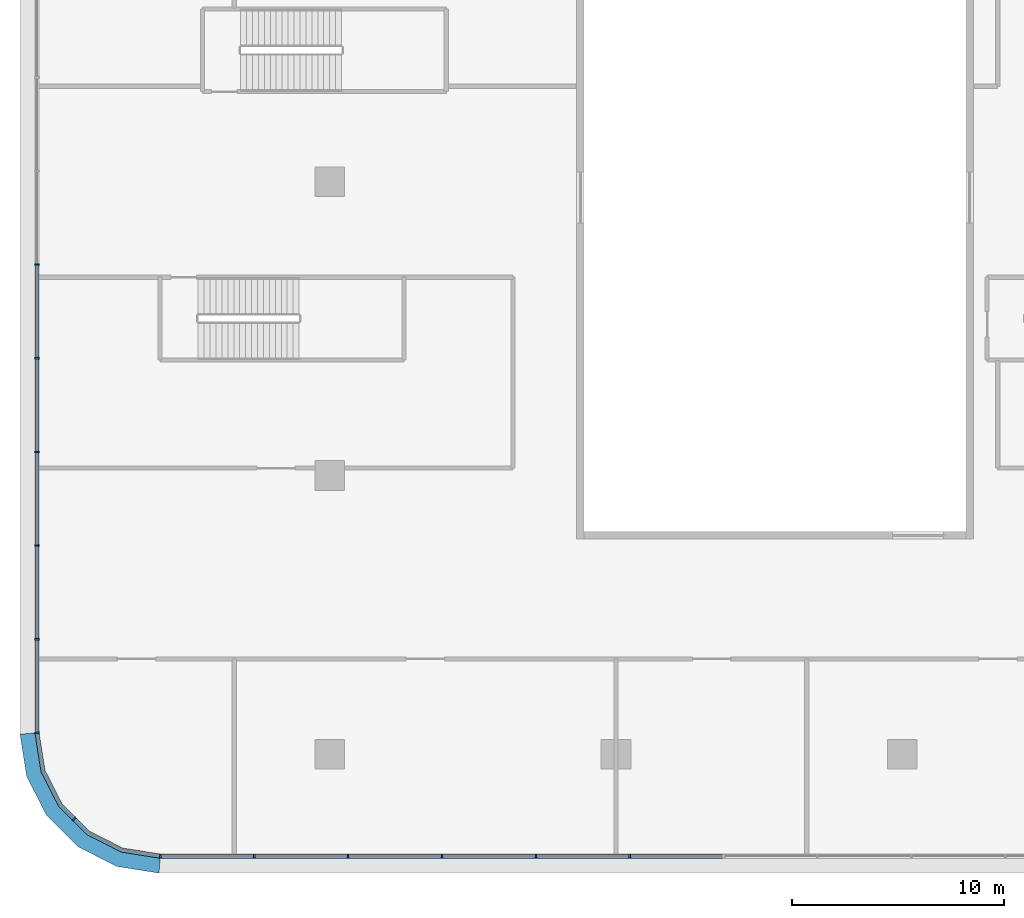
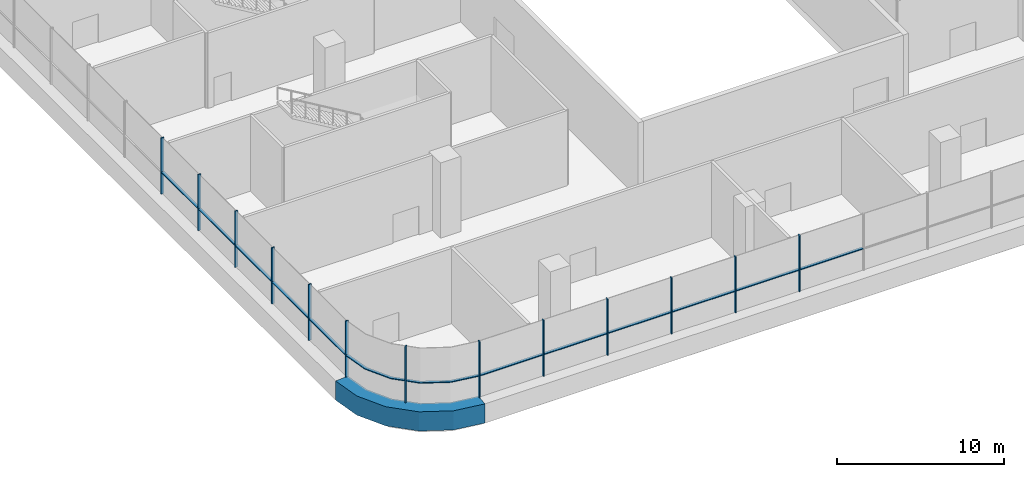
# One storey, part 2 of 52: 27 members, 3 elements without a shape of their own.
"""IFC4 building model written with IfcOpenShell, lengths in metres."""

from ifc_helpers import new_model, si_unit, direction, frame, origin, origin_2d, place, context, subcontext, project, spatial, polyline, rectangle, outline, extrude, material, layer, layer_set, material_profile, profile_set, type_object, element, aggregate, save


model = new_model("IFC4")

# Units and contexts
model_context = context("Model", 3, precision=1e-05, world=origin(), true_north=direction((0.0, 1.0)))
body_context = subcontext(model_context, "Body", "Model", "MODEL_VIEW")
ifc_project = project(units=[si_unit("LENGTHUNIT", "METRE"), si_unit("AREAUNIT", "SQUARE_METRE"), si_unit("VOLUMEUNIT", "CUBIC_METRE"), si_unit("PLANEANGLEUNIT", "RADIAN"), si_unit("MASSUNIT", "GRAM", prefix="KILO")], contexts=[model_context])

# Site, building, storey
site_placement = place(None, origin())
site = spatial("IfcSite", under=ifc_project, at=site_placement, CompositionType="ELEMENT")
building_placement = place(site_placement, origin())
building = spatial("IfcBuilding", under=site, at=building_placement, Name="Tamarind Cross Interchange Tower", CompositionType="ELEMENT")
storey_placement = place(building_placement, frame((0.0, 0.0, 9.0)))
storey = spatial("IfcBuildingStorey", under=building, at=storey_placement, Name="L01", CompositionType="ELEMENT", Elevation=9.0)

# Curtain wall, member
ifc_material_1 = material(Name="Aluminium 6063-T6", Category="aluminium")
ifc_layer = layer(ifc_material_1, 0.199951171875)
ifc_layer_set = layer_set([ifc_layer], Name="Aluminium 6063-T6")
curtain_wall_type = type_object("IfcCurtainWallType", Name="Podium shopfront and station curtain wall", PredefinedType="NOTDEFINED", material=ifc_layer_set)
curtain_wall_1_placement = place(storey_placement, origin())
curtain_wall_1 = element("IfcCurtainWall", 1, at=curtain_wall_1_placement, inside=storey, type_object=curtain_wall_type, Name="CWS-L01-05", PredefinedType="NOTDEFINED")
ifc_material_2 = material(Name="Aluminium and insulated spandrel panel", Category="aluminium")
member_type_1 = type_object("IfcMemberType", Name="Floor-edge blade transom", PredefinedType="USERDEFINED", material=ifc_material_2)
member_1_placement = place(storey_placement, origin())
member_1 = element("IfcMember", 2, at=member_1_placement, type_object=member_type_1, Name="CWT-L01-05", ObjectType="TRANSOM", PredefinedType="USERDEFINED", context=body_context, shape_type="SweptSolid", body=[
    extrude(outline(polyline([(-67.699951171875, -52.976318359375), (-67.41748046875, -54.76025390625), (-66.6083984375, -56.34814453125), (-65.34814453125, -57.6083984375), (-63.76025390625, -58.41748046875), (-61.976318359375, -58.699951171875), (-62.047119140625, -59.60009765625), (-64.041748046875, -59.2841796875), (-65.8837890625, -58.345458984375), (-67.345458984375, -56.8837890625), (-68.2841796875, -55.041748046875), (-68.60009765625, -53.047119140625), (-67.699951171875, -52.976318359375)])), origin(), (0.0, 0.0, 1.0), 1.39990234375),
])

# Curtain wall, members
curtain_wall_2_placement = place(storey_placement, origin())
curtain_wall_2 = element("IfcCurtainWall", 3, at=curtain_wall_2_placement, inside=storey, type_object=curtain_wall_type, Name="CWS-L01-04", PredefinedType="NOTDEFINED")
ifc_material_profile = material_profile(ifc_material_1, rectangle(XDim=0.080078125, YDim=0.199951171875, at=origin_2d()), Name="Mullion CW3")
ifc_profile_set = profile_set([ifc_material_profile], Name="Aluminium 6063-T6")
member_type_2 = type_object("IfcMemberType", Name="Mullion CW3", PredefinedType="MULLION", material=ifc_profile_set)
member_2_placement = place(storey_placement, frame((-67.800048828125, -30.907470703125, 1.39990234375), z_axis=(0.0, 0.0, 1.0), x_axis=(0.0, -1.0, 0.0)))
member_2 = element("IfcMember", 4, at=member_2_placement, type_object=member_type_2, Name="CWM-L01-04-19", PredefinedType="MULLION", context=body_context, shape_type="SweptSolid", body=[
    extrude(rectangle(XDim=0.080078125, YDim=0.199951171875, at=origin_2d()), origin(), (0.0, 0.0, 1.0), 4.10009765625),
])
member_3_placement = place(storey_placement, frame((-67.800048828125, -35.32275390625, 1.39990234375), z_axis=(0.0, 0.0, 1.0), x_axis=(0.0, -1.0, 0.0)))
member_3 = element("IfcMember", 5, at=member_3_placement, type_object=member_type_2, Name="CWM-L01-04-20", PredefinedType="MULLION", context=body_context, shape_type="SweptSolid", body=[
    extrude(rectangle(XDim=0.080078125, YDim=0.199951171875, at=origin_2d()), origin(), (0.0, 0.0, 1.0), 4.10009765625),
])
member_4_placement = place(storey_placement, frame((-67.800048828125, -39.73828125, 1.39990234375), z_axis=(0.0, 0.0, 1.0), x_axis=(0.0, -1.0, 0.0)))
member_4 = element("IfcMember", 6, at=member_4_placement, type_object=member_type_2, Name="CWM-L01-04-21", PredefinedType="MULLION", context=body_context, shape_type="SweptSolid", body=[
    extrude(rectangle(XDim=0.080078125, YDim=0.199951171875, at=origin_2d()), origin(), (0.0, 0.0, 1.0), 4.10009765625),
])
member_5_placement = place(storey_placement, frame((-67.800048828125, -44.153564453125, 1.39990234375), z_axis=(0.0, 0.0, 1.0), x_axis=(0.0, -1.0, 0.0)))
member_5 = element("IfcMember", 7, at=member_5_placement, type_object=member_type_2, Name="CWM-L01-04-22", PredefinedType="MULLION", context=body_context, shape_type="SweptSolid", body=[
    extrude(rectangle(XDim=0.080078125, YDim=0.199951171875, at=origin_2d()), origin(), (0.0, 0.0, 1.0), 4.10009765625),
])
member_6_placement = place(storey_placement, frame((-67.800048828125, -48.56884765625, 1.39990234375), z_axis=(0.0, 0.0, 1.0), x_axis=(0.0, -1.0, 0.0)))
member_6 = element("IfcMember", 8, at=member_6_placement, type_object=member_type_2, Name="CWM-L01-04-23", PredefinedType="MULLION", context=body_context, shape_type="SweptSolid", body=[
    extrude(rectangle(XDim=0.080078125, YDim=0.199951171875, at=origin_2d()), origin(), (0.0, 0.0, 1.0), 4.10009765625),
])

# Member
member_7_placement = place(storey_placement, frame((-67.800048828125, -52.984375, 1.39990234375), z_axis=(0.0, 0.0, 1.0), x_axis=(0.078459095728, -0.996917333733, 0.0)))
member_7 = element("IfcMember", 9, at=member_7_placement, type_object=member_type_2, Name="CWM-L01-05-00", PredefinedType="MULLION", context=body_context, shape_type="SweptSolid", body=[
    extrude(rectangle(XDim=0.080078125, YDim=0.199951171875, at=origin_2d()), origin(), (0.0, 0.0, 1.0), 4.10009765625),
])

member_8_placement = place(storey_placement, frame((-66.049072265625, -57.049072265625, 1.39990234375), z_axis=(0.0, 0.0, 1.0), x_axis=(0.707106781187, -0.707106781187, 0.0)))
member_8 = element("IfcMember", 10, at=member_8_placement, type_object=member_type_2, Name="CWM-L01-05-01", PredefinedType="MULLION", context=body_context, shape_type="SweptSolid", body=[
    extrude(rectangle(XDim=0.080078125, YDim=0.199951171875, at=origin_2d()), origin(), (0.0, 0.0, 1.0), 4.10009765625),
])

# Curtain wall, members
curtain_wall_3_placement = place(storey_placement, origin())
curtain_wall_3 = element("IfcCurtainWall", 11, at=curtain_wall_3_placement, inside=storey, type_object=curtain_wall_type, Name="CWS-L01-06", PredefinedType="NOTDEFINED")
member_9_placement = place(storey_placement, frame((-61.984375, -58.800048828125, 1.39990234375), z_axis=(0.0, 0.0, 1.0), x_axis=(0.996917333733, -0.078459095728, 0.0)))
member_9 = element("IfcMember", 12, at=member_9_placement, type_object=member_type_2, Name="CWM-L01-06-00", PredefinedType="MULLION", context=body_context, shape_type="SweptSolid", body=[
    extrude(rectangle(XDim=0.080078125, YDim=0.199951171875, at=origin_2d()), origin(), (0.0, 0.0, 1.0), 4.10009765625),
])
member_10_placement = place(storey_placement, frame((-57.556884765625, -58.800048828125, 1.39990234375), z_axis=(0.0, 0.0, 1.0), x_axis=(1.0, 0.0, 0.0)))
member_10 = element("IfcMember", 13, at=member_10_placement, type_object=member_type_2, Name="CWM-L01-06-01", PredefinedType="MULLION", context=body_context, shape_type="SweptSolid", body=[
    extrude(rectangle(XDim=0.080078125, YDim=0.199951171875, at=origin_2d()), origin(), (0.0, 0.0, 1.0), 4.10009765625),
])
member_11_placement = place(storey_placement, frame((-53.12939453125, -58.800048828125, 1.39990234375), z_axis=(0.0, 0.0, 1.0), x_axis=(1.0, 0.0, 0.0)))
member_11 = element("IfcMember", 14, at=member_11_placement, type_object=member_type_2, Name="CWM-L01-06-02", PredefinedType="MULLION", context=body_context, shape_type="SweptSolid", body=[
    extrude(rectangle(XDim=0.080078125, YDim=0.199951171875, at=origin_2d()), origin(), (0.0, 0.0, 1.0), 4.10009765625),
])
member_12_placement = place(storey_placement, frame((-48.701904296875, -58.800048828125, 1.39990234375), z_axis=(0.0, 0.0, 1.0), x_axis=(1.0, 0.0, 0.0)))
member_12 = element("IfcMember", 15, at=member_12_placement, type_object=member_type_2, Name="CWM-L01-06-03", PredefinedType="MULLION", context=body_context, shape_type="SweptSolid", body=[
    extrude(rectangle(XDim=0.080078125, YDim=0.199951171875, at=origin_2d()), origin(), (0.0, 0.0, 1.0), 4.10009765625),
])
member_13_placement = place(storey_placement, frame((-44.2744140625, -58.800048828125, 1.39990234375), z_axis=(0.0, 0.0, 1.0), x_axis=(1.0, 0.0, 0.0)))
member_13 = element("IfcMember", 16, at=member_13_placement, type_object=member_type_2, Name="CWM-L01-06-04", PredefinedType="MULLION", context=body_context, shape_type="SweptSolid", body=[
    extrude(rectangle(XDim=0.080078125, YDim=0.199951171875, at=origin_2d()), origin(), (0.0, 0.0, 1.0), 4.10009765625),
])
member_14_placement = place(storey_placement, frame((-39.846923828125, -58.800048828125, 1.39990234375), z_axis=(0.0, 0.0, 1.0), x_axis=(1.0, 0.0, 0.0)))
member_14 = element("IfcMember", 17, at=member_14_placement, type_object=member_type_2, Name="CWM-L01-06-05", PredefinedType="MULLION", context=body_context, shape_type="SweptSolid", body=[
    extrude(rectangle(XDim=0.080078125, YDim=0.199951171875, at=origin_2d()), origin(), (0.0, 0.0, 1.0), 4.10009765625),
])

# Member
member_type_3 = type_object("IfcMemberType", Name="Podium intermediate transom", PredefinedType="USERDEFINED", material=ifc_material_1)
member_15_placement = place(storey_placement, frame((0.0, 0.0, 2.969970703125)))
member_15 = element("IfcMember", 18, at=member_15_placement, type_object=member_type_3, Name="CWT-L01-04-I0-19", ObjectType="TRANSOM", PredefinedType="USERDEFINED", context=body_context, shape_type="SweptSolid", body=[
    extrude(outline(polyline([(-67.699951171875, -30.947509765625), (-67.699951171875, -35.282958984375), (-67.89990234375, -35.282958984375), (-67.89990234375, -30.947509765625), (-67.699951171875, -30.947509765625)])), origin(), (0.0, 0.0, 1.0), 0.06005859375),
])

member_16_placement = place(storey_placement, frame((0.0, 0.0, 2.969970703125)))
member_16 = element("IfcMember", 19, at=member_16_placement, type_object=member_type_3, Name="CWT-L01-04-I0-20", ObjectType="TRANSOM", PredefinedType="USERDEFINED", context=body_context, shape_type="SweptSolid", body=[
    extrude(outline(polyline([(-67.699951171875, -35.36279296875), (-67.699951171875, -39.6982421875), (-67.89990234375, -39.6982421875), (-67.89990234375, -35.36279296875), (-67.699951171875, -35.36279296875)])), origin(), (0.0, 0.0, 1.0), 0.06005859375),
])

member_17_placement = place(storey_placement, frame((0.0, 0.0, 2.969970703125)))
member_17 = element("IfcMember", 20, at=member_17_placement, type_object=member_type_3, Name="CWT-L01-04-I0-21", ObjectType="TRANSOM", PredefinedType="USERDEFINED", context=body_context, shape_type="SweptSolid", body=[
    extrude(outline(polyline([(-67.699951171875, -39.778076171875), (-67.699951171875, -44.113525390625), (-67.89990234375, -44.113525390625), (-67.89990234375, -39.778076171875), (-67.699951171875, -39.778076171875)])), origin(), (0.0, 0.0, 1.0), 0.06005859375),
])

member_18_placement = place(storey_placement, frame((0.0, 0.0, 2.969970703125)))
member_18 = element("IfcMember", 21, at=member_18_placement, type_object=member_type_3, Name="CWT-L01-04-I0-22", ObjectType="TRANSOM", PredefinedType="USERDEFINED", context=body_context, shape_type="SweptSolid", body=[
    extrude(outline(polyline([(-67.699951171875, -44.193603515625), (-67.699951171875, -48.52880859375), (-67.89990234375, -48.52880859375), (-67.89990234375, -44.193603515625), (-67.699951171875, -44.193603515625)])), origin(), (0.0, 0.0, 1.0), 0.06005859375),
])

member_19_placement = place(storey_placement, frame((0.0, 0.0, 2.969970703125)))
member_19 = element("IfcMember", 22, at=member_19_placement, type_object=member_type_3, Name="CWT-L01-04-I0-23", ObjectType="TRANSOM", PredefinedType="USERDEFINED", context=body_context, shape_type="SweptSolid", body=[
    extrude(outline(polyline([(-67.699951171875, -48.60888671875), (-67.699951171875, -52.9443359375), (-67.89990234375, -52.9443359375), (-67.89990234375, -48.60888671875), (-67.699951171875, -48.60888671875)])), origin(), (0.0, 0.0, 1.0), 0.06005859375),
])

aggregate(curtain_wall_2, [member_2, member_3, member_4, member_5, member_6, member_15, member_16, member_17, member_18, member_19])

member_20_placement = place(storey_placement, frame((0.0, 0.0, 2.969970703125)))
member_20 = element("IfcMember", 23, at=member_20_placement, type_object=member_type_3, Name="CWT-L01-05-I0-00", ObjectType="TRANSOM", PredefinedType="USERDEFINED", context=body_context, shape_type="SweptSolid", body=[
    extrude(outline(polyline([(-67.695068359375, -53.008056640625), (-67.41748046875, -54.76025390625), (-66.6083984375, -56.34814453125), (-66.006591796875, -56.949951171875), (-66.14794921875, -57.09130859375), (-66.772216796875, -56.46728515625), (-67.610107421875, -54.82275390625), (-67.892578125, -53.039306640625), (-67.695068359375, -53.008056640625)])), origin(), (0.0, 0.0, 1.0), 0.06005859375),
])

member_21_placement = place(storey_placement, frame((0.0, 0.0, 2.969970703125)))
member_21 = element("IfcMember", 24, at=member_21_placement, type_object=member_type_3, Name="CWT-L01-05-I0-01", ObjectType="TRANSOM", PredefinedType="USERDEFINED", context=body_context, shape_type="SweptSolid", body=[
    extrude(outline(polyline([(-65.949951171875, -57.006591796875), (-65.34814453125, -57.6083984375), (-63.76025390625, -58.41748046875), (-62.008056640625, -58.695068359375), (-62.039306640625, -58.892578125), (-63.82275390625, -58.610107421875), (-65.46728515625, -57.772216796875), (-66.09130859375, -57.14794921875), (-65.949951171875, -57.006591796875)])), origin(), (0.0, 0.0, 1.0), 0.06005859375),
])

aggregate(curtain_wall_1, [member_7, member_8, member_20, member_21, member_1])

member_22_placement = place(storey_placement, frame((0.0, 0.0, 2.969970703125)))
member_22 = element("IfcMember", 25, at=member_22_placement, type_object=member_type_3, Name="CWT-L01-06-I0-00", ObjectType="TRANSOM", PredefinedType="USERDEFINED", context=body_context, shape_type="SweptSolid", body=[
    extrude(outline(polyline([(-61.9443359375, -58.699951171875), (-57.596923828125, -58.699951171875), (-57.596923828125, -58.89990234375), (-61.9443359375, -58.89990234375), (-61.9443359375, -58.699951171875)])), origin(), (0.0, 0.0, 1.0), 0.06005859375),
])

member_23_placement = place(storey_placement, frame((0.0, 0.0, 2.969970703125)))
member_23 = element("IfcMember", 26, at=member_23_placement, type_object=member_type_3, Name="CWT-L01-06-I0-01", ObjectType="TRANSOM", PredefinedType="USERDEFINED", context=body_context, shape_type="SweptSolid", body=[
    extrude(outline(polyline([(-57.516845703125, -58.699951171875), (-53.16943359375, -58.699951171875), (-53.16943359375, -58.89990234375), (-57.516845703125, -58.89990234375), (-57.516845703125, -58.699951171875)])), origin(), (0.0, 0.0, 1.0), 0.06005859375),
])

member_24_placement = place(storey_placement, frame((0.0, 0.0, 2.969970703125)))
member_24 = element("IfcMember", 27, at=member_24_placement, type_object=member_type_3, Name="CWT-L01-06-I0-02", ObjectType="TRANSOM", PredefinedType="USERDEFINED", context=body_context, shape_type="SweptSolid", body=[
    extrude(outline(polyline([(-53.08935546875, -58.699951171875), (-48.741943359375, -58.699951171875), (-48.741943359375, -58.89990234375), (-53.08935546875, -58.89990234375), (-53.08935546875, -58.699951171875)])), origin(), (0.0, 0.0, 1.0), 0.06005859375),
])

member_25_placement = place(storey_placement, frame((0.0, 0.0, 2.969970703125)))
member_25 = element("IfcMember", 28, at=member_25_placement, type_object=member_type_3, Name="CWT-L01-06-I0-03", ObjectType="TRANSOM", PredefinedType="USERDEFINED", context=body_context, shape_type="SweptSolid", body=[
    extrude(outline(polyline([(-48.661865234375, -58.699951171875), (-44.314453125, -58.699951171875), (-44.314453125, -58.89990234375), (-48.661865234375, -58.89990234375), (-48.661865234375, -58.699951171875)])), origin(), (0.0, 0.0, 1.0), 0.06005859375),
])

member_26_placement = place(storey_placement, frame((0.0, 0.0, 2.969970703125)))
member_26 = element("IfcMember", 29, at=member_26_placement, type_object=member_type_3, Name="CWT-L01-06-I0-04", ObjectType="TRANSOM", PredefinedType="USERDEFINED", context=body_context, shape_type="SweptSolid", body=[
    extrude(outline(polyline([(-44.234375, -58.699951171875), (-39.886962890625, -58.699951171875), (-39.886962890625, -58.89990234375), (-44.234375, -58.89990234375), (-44.234375, -58.699951171875)])), origin(), (0.0, 0.0, 1.0), 0.06005859375),
])

member_27_placement = place(storey_placement, frame((0.0, 0.0, 2.969970703125)))
member_27 = element("IfcMember", 30, at=member_27_placement, type_object=member_type_3, Name="CWT-L01-06-I0-05", ObjectType="TRANSOM", PredefinedType="USERDEFINED", context=body_context, shape_type="SweptSolid", body=[
    extrude(outline(polyline([(-39.80712890625, -58.699951171875), (-35.45947265625, -58.699951171875), (-35.45947265625, -58.89990234375), (-39.80712890625, -58.89990234375), (-39.80712890625, -58.699951171875)])), origin(), (0.0, 0.0, 1.0), 0.06005859375),
])

aggregate(curtain_wall_3, [member_9, member_10, member_11, member_12, member_13, member_14, member_22, member_23, member_24, member_25, member_26, member_27])

save(model, "model.ifc")
